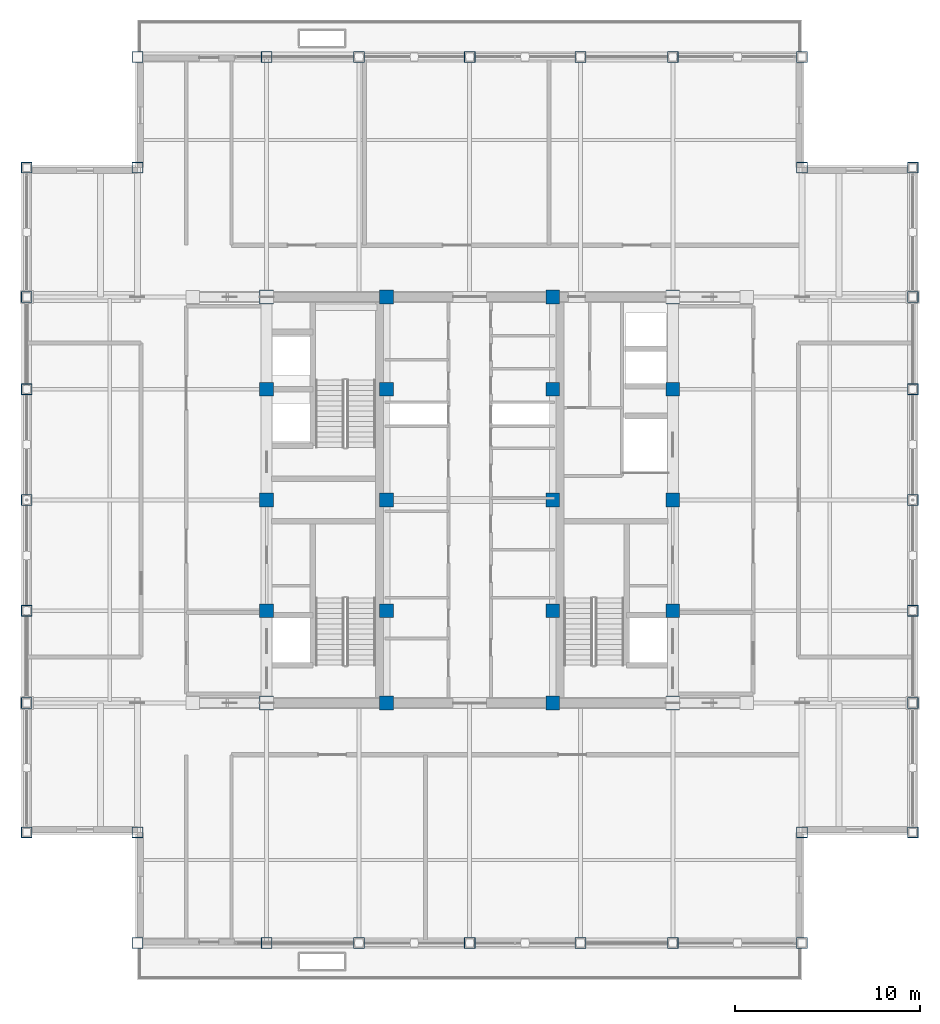
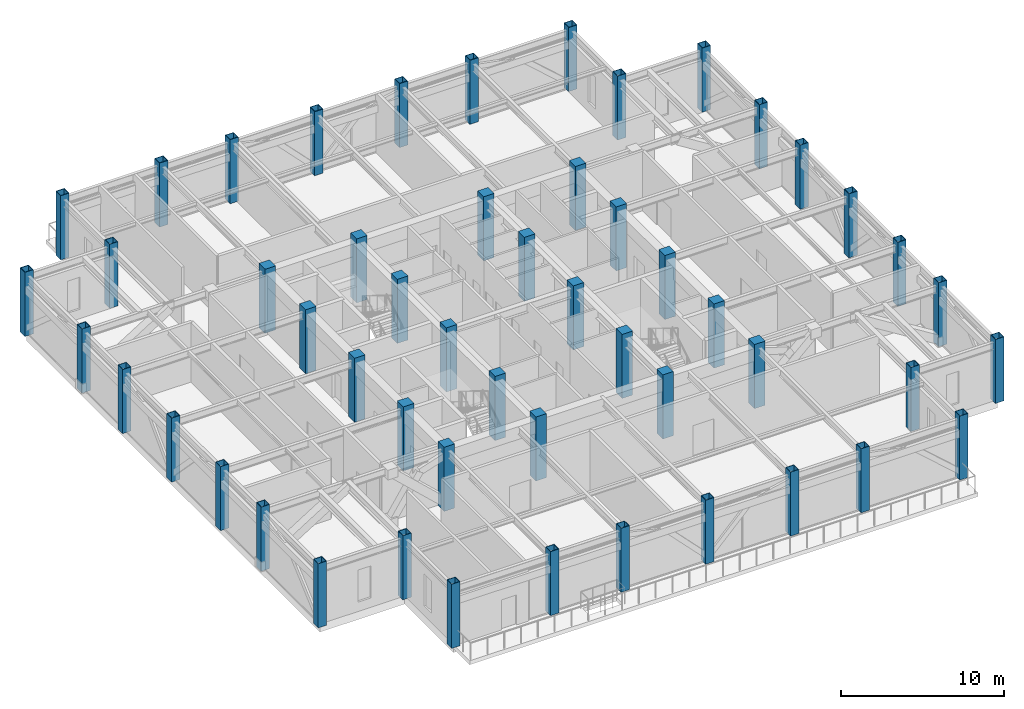
# One storey, part 1 of 32: 52 columns.
"""IFC4 building model written with IfcOpenShell, lengths in metres."""

from ifc_helpers import new_model, si_unit, direction, frame, origin, origin_2d, place, context, subcontext, project, spatial, rectangle, hollow_rectangle, extrude, source, transform, mapped, material, material_profile, profile_set, type_object, element, save


model = new_model("IFC4")

# Units and contexts
model_context = context("Model", 3, precision=1e-05, world=origin(), true_north=direction((0.0, 1.0)))
body_context = subcontext(model_context, "Body", "Model", "MODEL_VIEW")
ifc_project = project(units=[si_unit("LENGTHUNIT", "METRE"), si_unit("AREAUNIT", "SQUARE_METRE"), si_unit("VOLUMEUNIT", "CUBIC_METRE"), si_unit("PLANEANGLEUNIT", "RADIAN"), si_unit("MASSUNIT", "GRAM", prefix="KILO")], contexts=[model_context])

# Site, building, storey
site_placement = place(None, origin())
site = spatial("IfcSite", under=ifc_project, at=site_placement, CompositionType="ELEMENT")
building_placement = place(site_placement, origin())
building = spatial("IfcBuilding", under=site, at=building_placement, Name="Khorayat Bourse Tower", CompositionType="ELEMENT")
storey_placement = place(building_placement, frame((0.0, 0.0, 375.5)))
storey = spatial("IfcBuildingStorey", under=building, at=storey_placement, Name="L89", CompositionType="ELEMENT", Elevation=375.5)

# Columns
ifc_material_1 = material(Name="Concrete C52/65", Category="concrete")
ifc_material_profile_1 = material_profile(ifc_material_1, rectangle(XDim=0.75, YDim=0.75, at=origin_2d()), Name="RC 750x750")
ifc_profile_set_1 = profile_set([ifc_material_profile_1], Name="Concrete C52/65")
column_type_1 = type_object("IfcColumnType", Name="COL-CORE-750", PredefinedType="COLUMN", material=ifc_profile_set_1)
shared_shape_1 = source(origin(), body_context, "Body", "SweptSolid", [
    extrude(rectangle(XDim=0.75, YDim=0.75, at=origin_2d()), origin(), (0.0, 0.0, 1.0), 4.800048828125),
])
for number, where, z_axis, x_axis, name in (
    (1, (-11.0, -11.0, 0.0), (0.0, 0.0, 1.0), (1.0, 0.0, 0.0), "L89 Column 013"),
    (2, (-11.0, -6.0, 0.0), (0.0, 0.0, 1.0), (1.0, 0.0, 0.0), "L89 Column 014"),
    (3, (-11.0, 0.0, 0.0), (0.0, 0.0, 1.0), (1.0, 0.0, 0.0), "L89 Column 015"),
    (4, (-11.0, 6.0, 0.0), (0.0, 0.0, 1.0), (1.0, 0.0, 0.0), "L89 Column 016"),
    (5, (-11.0, 11.0, 0.0), (0.0, 0.0, 1.0), (1.0, 0.0, 0.0), "L89 Column 017"),
    (6, (-4.5, -11.0, 0.0), (0.0, 0.0, 1.0), (1.0, 0.0, 0.0), "L89 Column 021"),
    (7, (-4.5, -6.0, 0.0), (0.0, 0.0, 1.0), (1.0, 0.0, 0.0), "L89 Column 022"),
    (8, (-4.5, 0.0, 0.0), (0.0, 0.0, 1.0), (1.0, 0.0, 0.0), "L89 Column 023"),
    (9, (-4.5, 6.0, 0.0), (0.0, 0.0, 1.0), (1.0, 0.0, 0.0), "L89 Column 024"),
    (10, (-4.5, 11.0, 0.0), (0.0, 0.0, 1.0), (1.0, 0.0, 0.0), "L89 Column 025"),
    (11, (4.5, -11.0, 0.0), (0.0, 0.0, 1.0), (1.0, 0.0, 0.0), "L89 Column 028"),
    (12, (4.5, -6.0, 0.0), (0.0, 0.0, 1.0), (1.0, 0.0, 0.0), "L89 Column 029"),
    (13, (4.5, 0.0, 0.0), (0.0, 0.0, 1.0), (1.0, 0.0, 0.0), "L89 Column 030"),
    (14, (4.5, 6.0, 0.0), (0.0, 0.0, 1.0), (1.0, 0.0, 0.0), "L89 Column 031"),
    (15, (4.5, 11.0, 0.0), (0.0, 0.0, 1.0), (1.0, 0.0, 0.0), "L89 Column 032"),
    (16, (11.0, -11.0, 0.0), (0.0, 0.0, 1.0), (1.0, 0.0, 0.0), "L89 Column 036"),
    (17, (11.0, -6.0, 0.0), (0.0, 0.0, 1.0), (1.0, 0.0, 0.0), "L89 Column 037"),
    (18, (11.0, 0.0, 0.0), (0.0, 0.0, 1.0), (1.0, 0.0, 0.0), "L89 Column 038"),
    (19, (11.0, 6.0, 0.0), (0.0, 0.0, 1.0), (1.0, 0.0, 0.0), "L89 Column 039"),
    (20, (11.0, 11.0, 0.0), (0.0, 0.0, 1.0), (1.0, 0.0, 0.0), "L89 Column 040"),
):
    element("IfcColumn", number, at=place(storey_placement, frame(where, z_axis=z_axis, x_axis=x_axis)), inside=storey, type_object=column_type_1, Name=name, PredefinedType="COLUMN", context=body_context, shape_type="MappedRepresentation", body=[
        mapped(shared_shape_1, transform((0.0, 0.0, 0.0), scale=1.0)),
    ])
ifc_material_2 = material(Name="Steel EN 10025-2 S355J2", Category="steel")
ifc_material_profile_2 = material_profile(ifc_material_2, hollow_rectangle(XDim=0.60009765625, YDim=0.60009765625, WallThickness=0.034912109375, at=origin_2d()), Name="BOX 600x600x35")
ifc_profile_set_2 = profile_set([ifc_material_profile_2], Name="Steel EN 10025-2 S355J2")
column_type_2 = type_object("IfcColumnType", Name="COL-CROWN-600", PredefinedType="COLUMN", material=ifc_profile_set_2)
shared_shape_2 = source(origin(), body_context, "Body", "SweptSolid", [
    extrude(hollow_rectangle(XDim=0.60009765625, YDim=0.60009765625, WallThickness=0.034912109375, at=origin_2d()), origin(), (0.0, 0.0, 1.0), 4.800048828125),
])
for number, where, z_axis, x_axis, name in (
    (21, (-24.0, -18.0, 0.0), (0.0, 0.0, 1.0), (1.0, 0.0, 0.0), "L89 Column 001"),
    (22, (-24.0, -11.0, 0.0), (0.0, 0.0, 1.0), (1.0, 0.0, 0.0), "L89 Column 002"),
    (23, (-24.0, -6.0, 0.0), (0.0, 0.0, 1.0), (1.0, 0.0, 0.0), "L89 Column 003"),
    (24, (-24.0, 0.0, 0.0), (0.0, 0.0, 1.0), (1.0, 0.0, 0.0), "L89 Column 004"),
    (25, (-24.0, 6.0, 0.0), (0.0, 0.0, 1.0), (1.0, 0.0, 0.0), "L89 Column 005"),
    (26, (-24.0, 11.0, 0.0), (0.0, 0.0, 1.0), (1.0, 0.0, 0.0), "L89 Column 006"),
    (27, (-24.0, 18.0, 0.0), (0.0, 0.0, 1.0), (1.0, 0.0, 0.0), "L89 Column 007"),
    (28, (-18.0, -24.0, 0.0), (0.0, 0.0, 1.0), (1.0, 0.0, 0.0), "L89 Column 008"),
    (29, (-18.0, -18.0, 0.0), (0.0, 0.0, 1.0), (1.0, 0.0, 0.0), "L89 Column 009"),
    (30, (-18.0, 18.0, 0.0), (0.0, 0.0, 1.0), (1.0, 0.0, 0.0), "L89 Column 010"),
    (31, (-18.0, 24.0, 0.0), (0.0, 0.0, 1.0), (1.0, 0.0, 0.0), "L89 Column 011"),
    (32, (-11.0, -24.0, 0.0), (0.0, 0.0, 1.0), (1.0, 0.0, 0.0), "L89 Column 012"),
    (33, (-11.0, 24.0, 0.0), (0.0, 0.0, 1.0), (1.0, 0.0, 0.0), "L89 Column 018"),
    (34, (-6.0, -24.0, 0.0), (0.0, 0.0, 1.0), (1.0, 0.0, 0.0), "L89 Column 019"),
    (35, (-6.0, 24.0, 0.0), (0.0, 0.0, 1.0), (1.0, 0.0, 0.0), "L89 Column 020"),
    (36, (0.0, -24.0, 0.0), (0.0, 0.0, 1.0), (1.0, 0.0, 0.0), "L89 Column 026"),
    (37, (0.0, 24.0, 0.0), (0.0, 0.0, 1.0), (1.0, 0.0, 0.0), "L89 Column 027"),
    (38, (6.0, -24.0, 0.0), (0.0, 0.0, 1.0), (1.0, 0.0, 0.0), "L89 Column 033"),
    (39, (6.0, 24.0, 0.0), (0.0, 0.0, 1.0), (1.0, 0.0, 0.0), "L89 Column 034"),
    (40, (11.0, -24.0, 0.0), (0.0, 0.0, 1.0), (1.0, 0.0, 0.0), "L89 Column 035"),
    (41, (11.0, 24.0, 0.0), (0.0, 0.0, 1.0), (1.0, 0.0, 0.0), "L89 Column 041"),
    (42, (18.0, -24.0, 0.0), (0.0, 0.0, 1.0), (1.0, 0.0, 0.0), "L89 Column 042"),
    (43, (18.0, -18.0, 0.0), (0.0, 0.0, 1.0), (1.0, 0.0, 0.0), "L89 Column 043"),
    (44, (18.0, 18.0, 0.0), (0.0, 0.0, 1.0), (1.0, 0.0, 0.0), "L89 Column 044"),
    (45, (18.0, 24.0, 0.0), (0.0, 0.0, 1.0), (1.0, 0.0, 0.0), "L89 Column 045"),
    (46, (24.0, -18.0, 0.0), (0.0, 0.0, 1.0), (1.0, 0.0, 0.0), "L89 Column 046"),
    (47, (24.0, -11.0, 0.0), (0.0, 0.0, 1.0), (1.0, 0.0, 0.0), "L89 Column 047"),
    (48, (24.0, -6.0, 0.0), (0.0, 0.0, 1.0), (1.0, 0.0, 0.0), "L89 Column 048"),
    (49, (24.0, 0.0, 0.0), (0.0, 0.0, 1.0), (1.0, 0.0, 0.0), "L89 Column 049"),
    (50, (24.0, 6.0, 0.0), (0.0, 0.0, 1.0), (1.0, 0.0, 0.0), "L89 Column 050"),
    (51, (24.0, 11.0, 0.0), (0.0, 0.0, 1.0), (1.0, 0.0, 0.0), "L89 Column 051"),
    (52, (24.0, 18.0, 0.0), (0.0, 0.0, 1.0), (1.0, 0.0, 0.0), "L89 Column 052"),
):
    element("IfcColumn", number, at=place(storey_placement, frame(where, z_axis=z_axis, x_axis=x_axis)), inside=storey, type_object=column_type_2, Name=name, PredefinedType="COLUMN", context=body_context, shape_type="MappedRepresentation", body=[
        mapped(shared_shape_2, transform((0.0, 0.0, 0.0), scale=1.0)),
    ])

save(model, "model.ifc")
